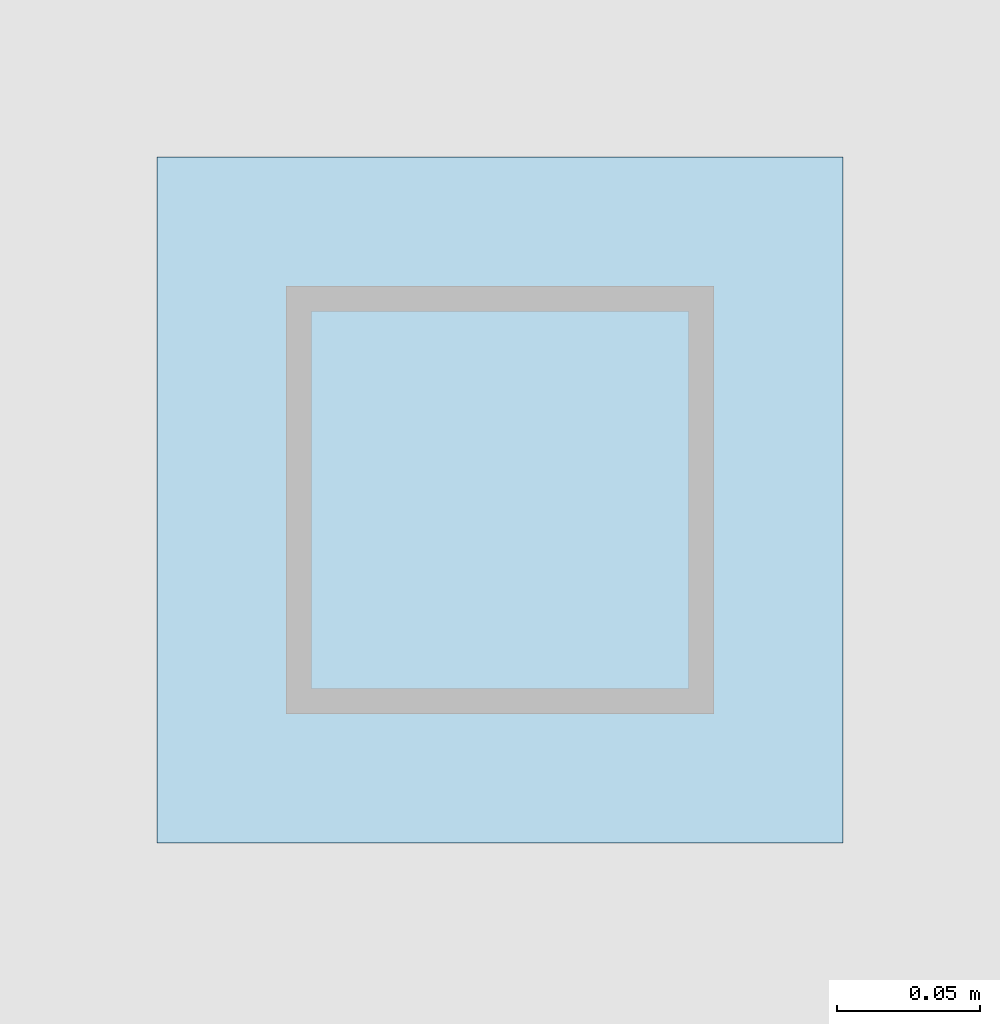
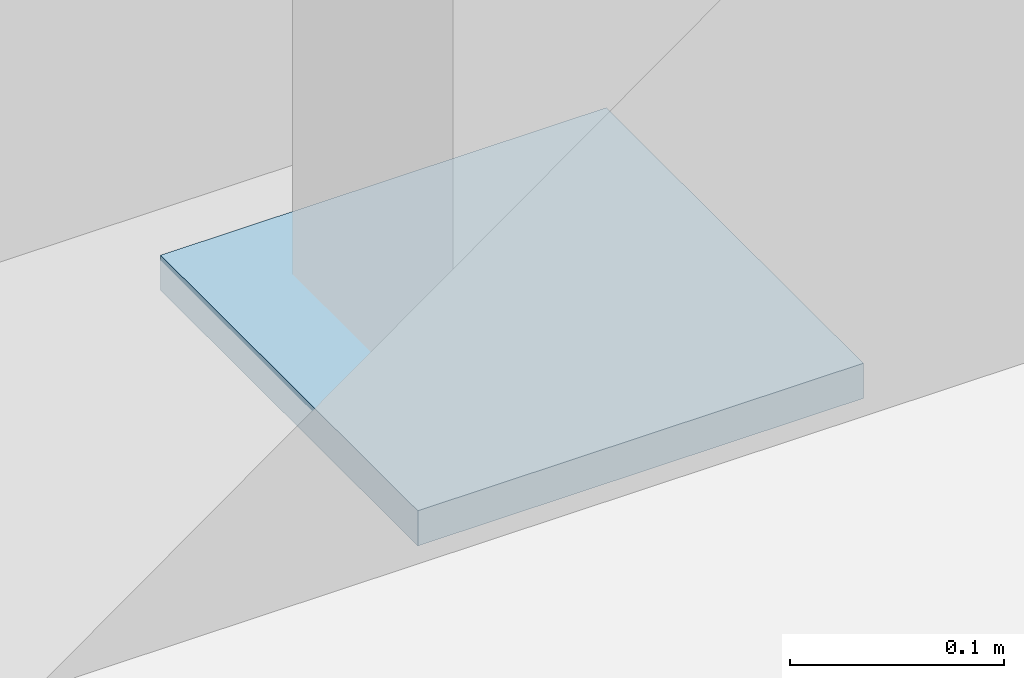
# One storey, part 63 of 82: 1 plate.
"""IFC4 building model written with IfcOpenShell, lengths in metres."""

from ifc_helpers import new_model, si_unit, direction, frame, origin, origin_2d, place, context, subcontext, project, spatial, rectangle, extrude, material, layer, layer_set, type_object, element, save


model = new_model("IFC4")

# Units and contexts
model_context = context("Model", 3, precision=1e-05, world=origin(), true_north=direction((0.0, 1.0)))
body_context = subcontext(model_context, "Body", "Model", "MODEL_VIEW")
ifc_project = project(units=[si_unit("LENGTHUNIT", "METRE"), si_unit("AREAUNIT", "SQUARE_METRE"), si_unit("VOLUMEUNIT", "CUBIC_METRE"), si_unit("PLANEANGLEUNIT", "RADIAN"), si_unit("MASSUNIT", "GRAM", prefix="KILO")], contexts=[model_context])

# Site, building, storey
site_placement = place(None, origin())
site = spatial("IfcSite", under=ifc_project, at=site_placement, CompositionType="ELEMENT")
building_placement = place(site_placement, origin())
building = spatial("IfcBuilding", under=site, at=building_placement, Name="Trelmorton Wharf Fire Station", CompositionType="ELEMENT")
storey_placement = place(building_placement, origin())
storey = spatial("IfcBuildingStorey", under=building, at=storey_placement, Name="L00", CompositionType="ELEMENT", Elevation=0.0)

# Plate
ifc_material = material(Name="Steel Grade 350", Category="steel")
ifc_layer = layer(ifc_material, 0.011962890625)
ifc_layer_set = layer_set([ifc_layer], Name="Steel Grade 350")
plate_type = type_object("IfcPlateType", Name="PL_ENDCAP_12", PredefinedType="SHEET", material=ifc_layer_set)
plate_placement = place(storey_placement, frame((126.75, 81.0, -0.01806640625), z_axis=(0.0, 0.0, 1.0), x_axis=(1.0, 0.0, 0.0)))
element("IfcPlate", 1, at=plate_placement, inside=storey, type_object=plate_type, Name="PL-PILCAP-B-017", PredefinedType="SHEET", context=body_context, shape_type="SweptSolid", body=[
    extrude(rectangle(XDim=0.239990234375, YDim=0.239990234375, at=origin_2d()), origin(), (0.0, 0.0, 1.0), 0.02001953125),
])

save(model, "model.ifc")
